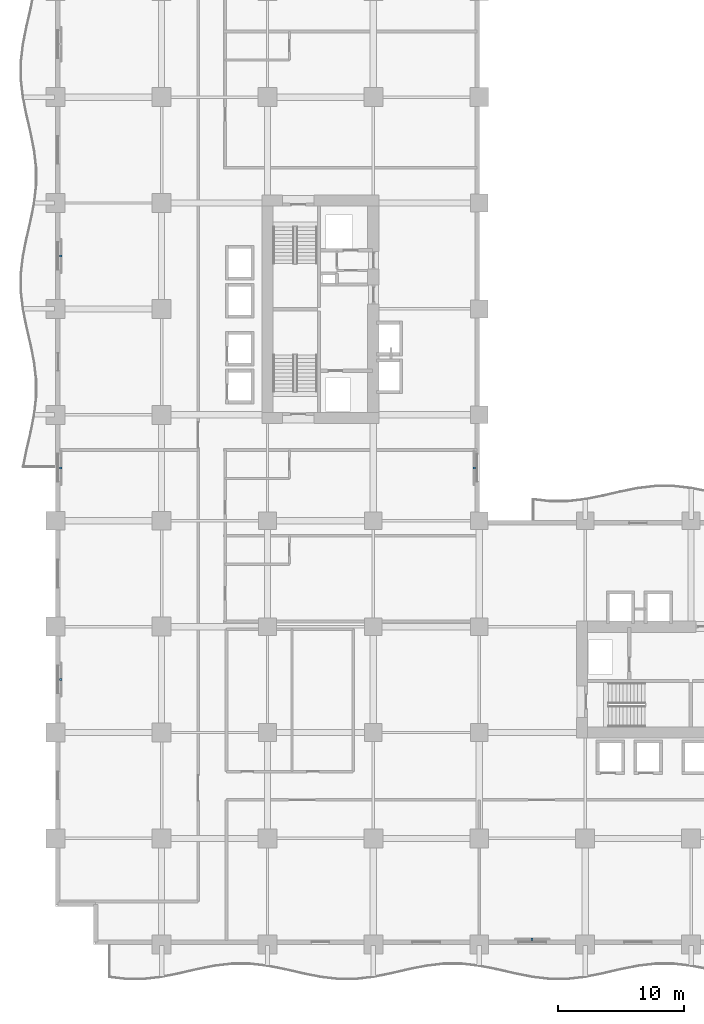
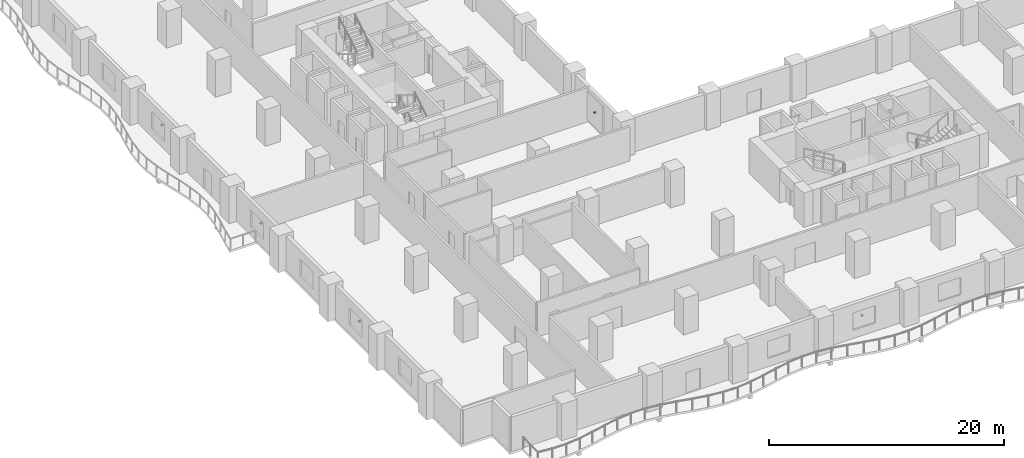
# One storey, part 13 of 18: 5 discrete accessories.
"""IFC4 building model written with IfcOpenShell, lengths in metres."""

from ifc_helpers import new_model, si_unit, direction, frame, origin, origin_2d, place, context, subcontext, project, spatial, rectangle, extrude, material, type_object, element, save


model = new_model("IFC4")

# Units and contexts
model_context = context("Model", 3, precision=1e-05, world=origin(), true_north=direction((0.0, 1.0)))
body_context = subcontext(model_context, "Body", "Model", "MODEL_VIEW")
ifc_project = project(units=[si_unit("LENGTHUNIT", "METRE"), si_unit("AREAUNIT", "SQUARE_METRE"), si_unit("VOLUMEUNIT", "CUBIC_METRE"), si_unit("PLANEANGLEUNIT", "RADIAN"), si_unit("MASSUNIT", "GRAM", prefix="KILO")], contexts=[model_context])

# Site, building, storey
site_placement = place(None, origin())
site = spatial("IfcSite", under=ifc_project, at=site_placement, CompositionType="ELEMENT")
building_placement = place(site_placement, origin())
building = spatial("IfcBuilding", under=site, at=building_placement, Name="Koriwani Terraces Tower", CompositionType="ELEMENT")
storey_placement = place(building_placement, frame((0.0, 0.0, 81.39990234375)))
storey = spatial("IfcBuildingStorey", under=building, at=storey_placement, Name="L19", CompositionType="ELEMENT", Elevation=81.39990234375)

# Discrete accessories
ifc_material = material(Name="Steel ASTM A572 Grade 50", Category="steel")
discrete_accessory_type = type_object("IfcDiscreteAccessoryType", Name="BAGUETTE_STANDOFF_BRACKET", PredefinedType="BRACKET", material=ifc_material)
for number, where, z_axis, x_axis, name in (
    (1, (0.389892578125, 21.0, 1.68505859375), (0.0, 0.0, 1.0), (0.0, 1.0, 0.0), "L19 Terracotta Baguette Bracket (W-6)"),
    (2, (0.389892578125, 37.800048828125, 1.68505859375), (0.0, 0.0, 1.0), (0.0, 1.0, 0.0), "L19 Terracotta Baguette Bracket (W-12)"),
    (3, (0.389892578125, 54.60009765625, 1.68505859375), (0.0, 0.0, 1.0), (0.0, 1.0, 0.0), "L19 Terracotta Baguette Bracket (W-18)"),
    (4, (33.2099609375, 37.800048828125, 1.68505859375), (0.0, 0.0, 1.0), (0.0, -1.0, 0.0), "L19 Terracotta Baguette Bracket (NW_IN-2)"),
    (5, (37.800048828125, 0.389892578125, 1.68505859375), (0.0, 0.0, 1.0), (-1.0, 0.0, 0.0), "L19 Terracotta Baguette Bracket (S-12)"),
):
    element("IfcDiscreteAccessory", number, at=place(storey_placement, frame(where, z_axis=z_axis, x_axis=x_axis)), inside=storey, type_object=discrete_accessory_type, Name=name, PredefinedType="BRACKET", context=body_context, shape_type="SweptSolid", body=[
        extrude(rectangle(XDim=0.159912109375, YDim=0.199951171875, at=origin_2d()), origin(), (0.0, 0.0, 1.0), 0.179931640625),
    ])

save(model, "model.ifc")
